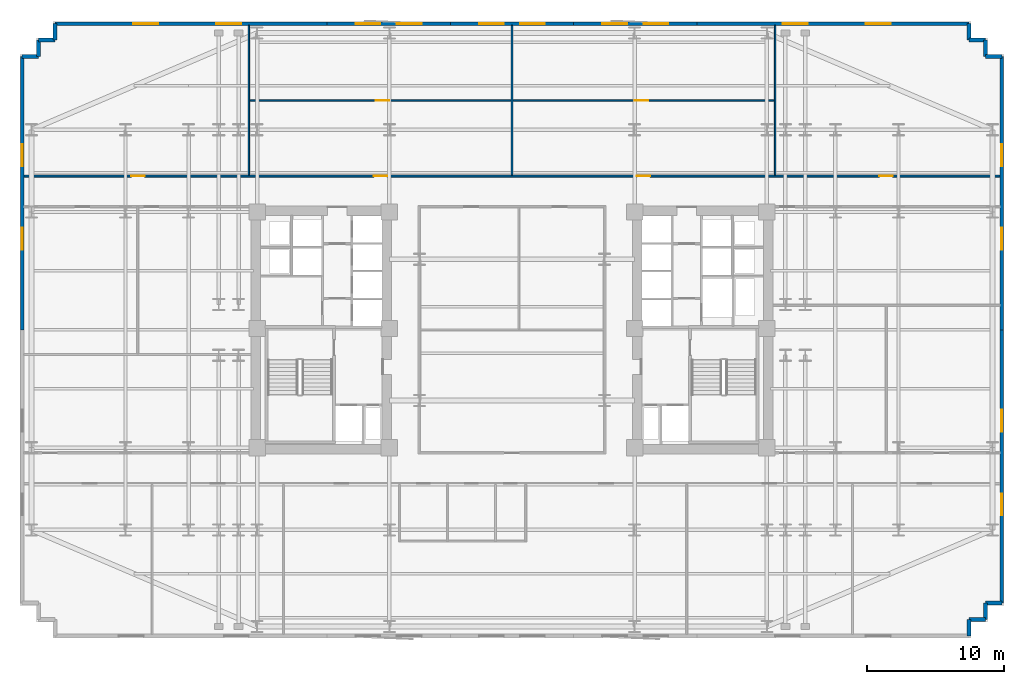
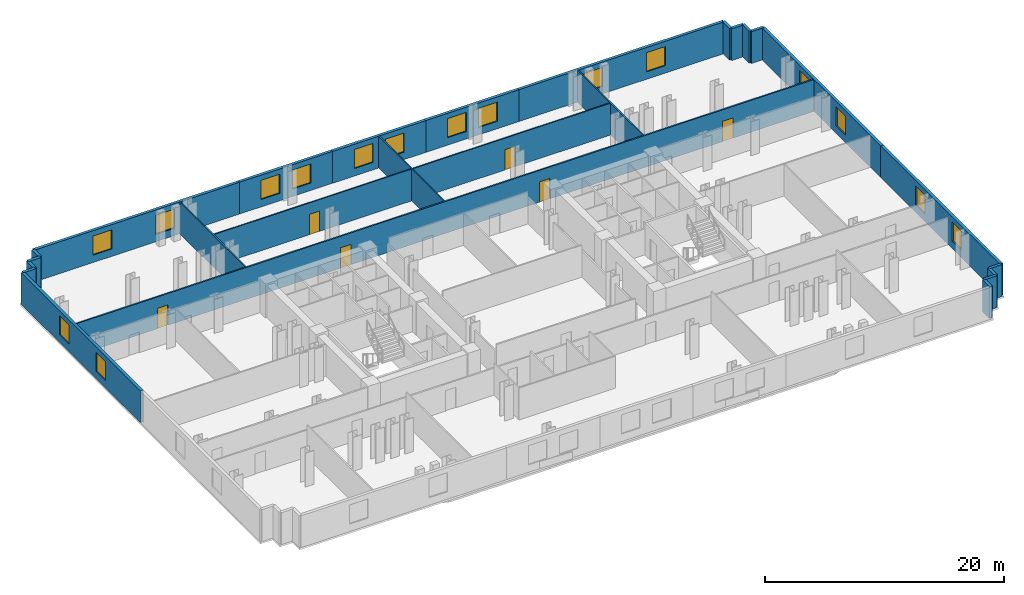
# One storey, part 7 of 10: 25 walls, 16 windows, 6 doors, 22 openings.
"""IFC4 building model written with IfcOpenShell, lengths in metres."""

from ifc_helpers import new_model, si_unit, direction, frame, frame_2d, origin, place, context, subcontext, project, spatial, rectangle, extrude, material, layer, layer_set, type_object, element, fill, save


model = new_model("IFC4")

# Units and contexts
model_context = context("Model", 3, precision=1e-05, world=origin(), true_north=direction((0.0, 1.0)))
body_context = subcontext(model_context, "Body", "Model", "MODEL_VIEW")
ifc_project = project(units=[si_unit("LENGTHUNIT", "METRE"), si_unit("AREAUNIT", "SQUARE_METRE"), si_unit("VOLUMEUNIT", "CUBIC_METRE"), si_unit("PLANEANGLEUNIT", "RADIAN"), si_unit("MASSUNIT", "GRAM", prefix="KILO")], contexts=[model_context])

# Site, building, storey
site_placement = place(None, origin())
site = spatial("IfcSite", under=ifc_project, at=site_placement, CompositionType="ELEMENT")
building_placement = place(site_placement, origin())
building = spatial("IfcBuilding", under=site, at=building_placement, Name="Velakula Bourse", CompositionType="ELEMENT")
storey_placement = place(building_placement, frame((0.0, 0.0, 55.35009765625)))
storey = spatial("IfcBuildingStorey", under=building, at=storey_placement, Name="L14", CompositionType="ELEMENT", Elevation=55.35009765625)

# Wall, openings, windows
ifc_material_1 = material(Name="Red kilned clay facing brick masonry", Category="masonry")
ifc_layer_1 = layer(ifc_material_1, 0.280029296875, Name="Red kilned clay facing brick masonry", Category="masonry")
ifc_layer_set_1 = layer_set([ifc_layer_1], Name="Red kilned clay facing brick masonry")
wall_type_1 = type_object("IfcWallType", Name="WL-EXT-BRK-280", PredefinedType="STANDARD", material=ifc_layer_set_1)
wall_1_placement = place(storey_placement, frame((-33.340087890625, 22.340087890625, 0.0), z_axis=(0.0, 0.0, 1.0), x_axis=(1.0, 0.0, 0.0)))
wall_1 = element("IfcWall", 1, at=wall_1_placement, inside=storey, type_object=wall_type_1, Name="L14 N Brick Spandrel Wall B1", PredefinedType="STANDARD", context=body_context, shape_type="SweptSolid", body=[
    extrude(rectangle(XDim=19.840087890625, YDim=0.280029296875, at=frame_2d((9.919921875, 0.0))), origin(), (0.0, 0.0, 1.0), 3.25),
])
opening_1_placement = place(wall_1_placement, frame((5.71337890625, 0.0, 0.760009765625)))
opening_1 = element("IfcOpeningElement", 2, at=opening_1_placement, cuts=wall_1, Name="Opening W-01", PredefinedType="OPENING", context=body_context, shape_type="SweptSolid", body=[
    extrude(rectangle(XDim=1.800048828125, YDim=1.949951171875, at=frame_2d((0.89990234375, 0.97509765625))), frame((0.0, 0.14990234375, 0.0), z_axis=(0.0, -1.0, 0.0), x_axis=(1.0, 0.0, 0.0)), (0.0, 0.0, 1.0), 0.300048828125),
])
opening_2_placement = place(wall_1_placement, frame((11.776611328125, 0.0, 0.760009765625)))
opening_2 = element("IfcOpeningElement", 3, at=opening_2_placement, cuts=wall_1, Name="Opening W-01", PredefinedType="OPENING", context=body_context, shape_type="SweptSolid", body=[
    extrude(rectangle(XDim=1.800048828125, YDim=1.949951171875, at=frame_2d((0.89990234375, 0.97509765625))), frame((0.0, 0.14990234375, 0.0), z_axis=(0.0, -1.0, 0.0), x_axis=(1.0, 0.0, 0.0)), (0.0, 0.0, 1.0), 0.300048828125),
])
ifc_material_2 = material(Name="Double-glazed solar-control Low-E glass", Category="glass")
window_type_1 = type_object("IfcWindowType", Name="WIN-TWR-1800x2100", PartitioningType="SINGLE_PANEL", PredefinedType="WINDOW", material=ifc_material_2)
window_1_placement = place(opening_1_placement, origin())
window_1 = element("IfcWindow", 4, at=window_1_placement, inside=storey, type_object=window_type_1, Name="L14 Deep-Set Recessed Window 1", OverallHeight=1.949951171875, OverallWidth=1.800048828125, PartitioningType="SINGLE_PANEL", PredefinedType="WINDOW", context=body_context, shape_type="SweptSolid", body=[
    extrude(rectangle(XDim=1.800048828125, YDim=1.949951171875, at=frame_2d((0.89990234375, 0.97509765625))), frame((0.0, 0.030029296875, 0.0), z_axis=(0.0, -1.0, 0.0), x_axis=(1.0, 0.0, 0.0)), (0.0, 0.0, 1.0), 0.06005859375),
])
fill(opening_1, window_1)
window_2_placement = place(opening_2_placement, origin())
window_2 = element("IfcWindow", 5, at=window_2_placement, inside=storey, type_object=window_type_1, Name="L14 Deep-Set Recessed Window 2", OverallHeight=1.949951171875, OverallWidth=1.800048828125, PartitioningType="SINGLE_PANEL", PredefinedType="WINDOW", context=body_context, shape_type="SweptSolid", body=[
    extrude(rectangle(XDim=1.800048828125, YDim=1.949951171875, at=frame_2d((0.89990234375, 0.97509765625))), frame((0.0, 0.030029296875, 0.0), z_axis=(0.0, -1.0, 0.0), x_axis=(1.0, 0.0, 0.0)), (0.0, 0.0, 1.0), 0.06005859375),
])
fill(opening_2, window_2)

wall_2_placement = place(storey_placement, frame((-13.5, 22.340087890625, 0.0), z_axis=(0.0, 0.0, 1.0), x_axis=(1.0, 0.0, 0.0)))
wall_2 = element("IfcWall", 6, at=wall_2_placement, inside=storey, type_object=wall_type_1, Name="L14 N Brick Spandrel Wall B2", PredefinedType="STANDARD", context=body_context, shape_type="SweptSolid", body=[
    extrude(rectangle(XDim=9.0, YDim=0.280029296875, at=frame_2d((4.5, 0.0))), origin(), (0.0, 0.0, 1.0), 3.25),
])
opening_3_placement = place(wall_2_placement, frame((2.10009765625, 0.0, 0.760009765625)))
opening_3 = element("IfcOpeningElement", 7, at=opening_3_placement, cuts=wall_2, Name="Opening W-01", PredefinedType="OPENING", context=body_context, shape_type="SweptSolid", body=[
    extrude(rectangle(XDim=1.800048828125, YDim=1.949951171875, at=frame_2d((0.89990234375, 0.97509765625))), frame((0.0, 0.14990234375, 0.0), z_axis=(0.0, -1.0, 0.0), x_axis=(1.0, 0.0, 0.0)), (0.0, 0.0, 1.0), 0.300048828125),
])
opening_4_placement = place(wall_2_placement, frame((5.10009765625, 0.0, 0.760009765625)))
opening_4 = element("IfcOpeningElement", 8, at=opening_4_placement, cuts=wall_2, Name="Opening W-01", PredefinedType="OPENING", context=body_context, shape_type="SweptSolid", body=[
    extrude(rectangle(XDim=1.800048828125, YDim=1.949951171875, at=frame_2d((0.89990234375, 0.97509765625))), frame((0.0, 0.14990234375, 0.0), z_axis=(0.0, -1.0, 0.0), x_axis=(1.0, 0.0, 0.0)), (0.0, 0.0, 1.0), 0.300048828125),
])
window_3_placement = place(opening_3_placement, origin())
window_3 = element("IfcWindow", 9, at=window_3_placement, inside=storey, type_object=window_type_1, Name="L14 Deep-Set Recessed Window 1", OverallHeight=1.949951171875, OverallWidth=1.800048828125, PartitioningType="SINGLE_PANEL", PredefinedType="WINDOW", context=body_context, shape_type="SweptSolid", body=[
    extrude(rectangle(XDim=1.800048828125, YDim=1.949951171875, at=frame_2d((0.89990234375, 0.97509765625))), frame((0.0, 0.030029296875, 0.0), z_axis=(0.0, -1.0, 0.0), x_axis=(1.0, 0.0, 0.0)), (0.0, 0.0, 1.0), 0.06005859375),
])
fill(opening_3, window_3)
window_4_placement = place(opening_4_placement, origin())
window_4 = element("IfcWindow", 10, at=window_4_placement, inside=storey, type_object=window_type_1, Name="L14 Deep-Set Recessed Window 2", OverallHeight=1.949951171875, OverallWidth=1.800048828125, PartitioningType="SINGLE_PANEL", PredefinedType="WINDOW", context=body_context, shape_type="SweptSolid", body=[
    extrude(rectangle(XDim=1.800048828125, YDim=1.949951171875, at=frame_2d((0.89990234375, 0.97509765625))), frame((0.0, 0.030029296875, 0.0), z_axis=(0.0, -1.0, 0.0), x_axis=(1.0, 0.0, 0.0)), (0.0, 0.0, 1.0), 0.06005859375),
])
fill(opening_4, window_4)

wall_3_placement = place(storey_placement, frame((-4.5, 22.340087890625, 0.0), z_axis=(0.0, 0.0, 1.0), x_axis=(1.0, 0.0, 0.0)))
wall_3 = element("IfcWall", 11, at=wall_3_placement, inside=storey, type_object=wall_type_1, Name="L14 N Brick Spandrel Wall B3", PredefinedType="STANDARD", context=body_context, shape_type="SweptSolid", body=[
    extrude(rectangle(XDim=9.0, YDim=0.280029296875, at=frame_2d((4.5, 0.0))), origin(), (0.0, 0.0, 1.0), 3.25),
])
opening_5_placement = place(wall_3_placement, frame((2.10009765625, 0.0, 0.760009765625)))
opening_5 = element("IfcOpeningElement", 12, at=opening_5_placement, cuts=wall_3, Name="Opening W-01", PredefinedType="OPENING", context=body_context, shape_type="SweptSolid", body=[
    extrude(rectangle(XDim=1.800048828125, YDim=1.949951171875, at=frame_2d((0.89990234375, 0.97509765625))), frame((0.0, 0.14990234375, 0.0), z_axis=(0.0, -1.0, 0.0), x_axis=(1.0, 0.0, 0.0)), (0.0, 0.0, 1.0), 0.300048828125),
])
opening_6_placement = place(wall_3_placement, frame((5.10009765625, 0.0, 0.760009765625)))
opening_6 = element("IfcOpeningElement", 13, at=opening_6_placement, cuts=wall_3, Name="Opening W-01", PredefinedType="OPENING", context=body_context, shape_type="SweptSolid", body=[
    extrude(rectangle(XDim=1.800048828125, YDim=1.949951171875, at=frame_2d((0.89990234375, 0.97509765625))), frame((0.0, 0.14990234375, 0.0), z_axis=(0.0, -1.0, 0.0), x_axis=(1.0, 0.0, 0.0)), (0.0, 0.0, 1.0), 0.300048828125),
])
window_5_placement = place(opening_5_placement, origin())
window_5 = element("IfcWindow", 14, at=window_5_placement, inside=storey, type_object=window_type_1, Name="L14 Deep-Set Recessed Window 1", OverallHeight=1.949951171875, OverallWidth=1.800048828125, PartitioningType="SINGLE_PANEL", PredefinedType="WINDOW", context=body_context, shape_type="SweptSolid", body=[
    extrude(rectangle(XDim=1.800048828125, YDim=1.949951171875, at=frame_2d((0.89990234375, 0.97509765625))), frame((0.0, 0.030029296875, 0.0), z_axis=(0.0, -1.0, 0.0), x_axis=(1.0, 0.0, 0.0)), (0.0, 0.0, 1.0), 0.06005859375),
])
fill(opening_5, window_5)
window_6_placement = place(opening_6_placement, origin())
window_6 = element("IfcWindow", 15, at=window_6_placement, inside=storey, type_object=window_type_1, Name="L14 Deep-Set Recessed Window 2", OverallHeight=1.949951171875, OverallWidth=1.800048828125, PartitioningType="SINGLE_PANEL", PredefinedType="WINDOW", context=body_context, shape_type="SweptSolid", body=[
    extrude(rectangle(XDim=1.800048828125, YDim=1.949951171875, at=frame_2d((0.89990234375, 0.97509765625))), frame((0.0, 0.030029296875, 0.0), z_axis=(0.0, -1.0, 0.0), x_axis=(1.0, 0.0, 0.0)), (0.0, 0.0, 1.0), 0.06005859375),
])
fill(opening_6, window_6)

wall_4_placement = place(storey_placement, frame((4.5, 22.340087890625, 0.0), z_axis=(0.0, 0.0, 1.0), x_axis=(1.0, 0.0, 0.0)))
wall_4 = element("IfcWall", 16, at=wall_4_placement, inside=storey, type_object=wall_type_1, Name="L14 N Brick Spandrel Wall B4", PredefinedType="STANDARD", context=body_context, shape_type="SweptSolid", body=[
    extrude(rectangle(XDim=9.0, YDim=0.280029296875, at=frame_2d((4.5, 0.0))), origin(), (0.0, 0.0, 1.0), 3.25),
])
opening_7_placement = place(wall_4_placement, frame((2.10009765625, 0.0, 0.760009765625)))
opening_7 = element("IfcOpeningElement", 17, at=opening_7_placement, cuts=wall_4, Name="Opening W-01", PredefinedType="OPENING", context=body_context, shape_type="SweptSolid", body=[
    extrude(rectangle(XDim=1.800048828125, YDim=1.949951171875, at=frame_2d((0.89990234375, 0.97509765625))), frame((0.0, 0.14990234375, 0.0), z_axis=(0.0, -1.0, 0.0), x_axis=(1.0, 0.0, 0.0)), (0.0, 0.0, 1.0), 0.300048828125),
])
opening_8_placement = place(wall_4_placement, frame((5.10009765625, 0.0, 0.760009765625)))
opening_8 = element("IfcOpeningElement", 18, at=opening_8_placement, cuts=wall_4, Name="Opening W-01", PredefinedType="OPENING", context=body_context, shape_type="SweptSolid", body=[
    extrude(rectangle(XDim=1.800048828125, YDim=1.949951171875, at=frame_2d((0.89990234375, 0.97509765625))), frame((0.0, 0.14990234375, 0.0), z_axis=(0.0, -1.0, 0.0), x_axis=(1.0, 0.0, 0.0)), (0.0, 0.0, 1.0), 0.300048828125),
])
window_7_placement = place(opening_7_placement, origin())
window_7 = element("IfcWindow", 19, at=window_7_placement, inside=storey, type_object=window_type_1, Name="L14 Deep-Set Recessed Window 1", OverallHeight=1.949951171875, OverallWidth=1.800048828125, PartitioningType="SINGLE_PANEL", PredefinedType="WINDOW", context=body_context, shape_type="SweptSolid", body=[
    extrude(rectangle(XDim=1.800048828125, YDim=1.949951171875, at=frame_2d((0.89990234375, 0.97509765625))), frame((0.0, 0.030029296875, 0.0), z_axis=(0.0, -1.0, 0.0), x_axis=(1.0, 0.0, 0.0)), (0.0, 0.0, 1.0), 0.06005859375),
])
fill(opening_7, window_7)
window_8_placement = place(opening_8_placement, origin())
window_8 = element("IfcWindow", 20, at=window_8_placement, inside=storey, type_object=window_type_1, Name="L14 Deep-Set Recessed Window 2", OverallHeight=1.949951171875, OverallWidth=1.800048828125, PartitioningType="SINGLE_PANEL", PredefinedType="WINDOW", context=body_context, shape_type="SweptSolid", body=[
    extrude(rectangle(XDim=1.800048828125, YDim=1.949951171875, at=frame_2d((0.89990234375, 0.97509765625))), frame((0.0, 0.030029296875, 0.0), z_axis=(0.0, -1.0, 0.0), x_axis=(1.0, 0.0, 0.0)), (0.0, 0.0, 1.0), 0.06005859375),
])
fill(opening_8, window_8)

wall_5_placement = place(storey_placement, frame((13.5, 22.340087890625, 0.0), z_axis=(0.0, 0.0, 1.0), x_axis=(1.0, 0.0, 0.0)))
wall_5 = element("IfcWall", 21, at=wall_5_placement, inside=storey, type_object=wall_type_1, Name="L14 N Brick Spandrel Wall B5", PredefinedType="STANDARD", context=body_context, shape_type="SweptSolid", body=[
    extrude(rectangle(XDim=19.840087890625, YDim=0.280029296875, at=frame_2d((9.919921875, 0.0))), origin(), (0.0, 0.0, 1.0), 3.25),
])
opening_9_placement = place(wall_5_placement, frame((6.26318359375, 0.0, 0.760009765625)))
opening_9 = element("IfcOpeningElement", 22, at=opening_9_placement, cuts=wall_5, Name="Opening W-01", PredefinedType="OPENING", context=body_context, shape_type="SweptSolid", body=[
    extrude(rectangle(XDim=1.800048828125, YDim=1.949951171875, at=frame_2d((0.89990234375, 0.97509765625))), frame((0.0, 0.14990234375, 0.0), z_axis=(0.0, -1.0, 0.0), x_axis=(1.0, 0.0, 0.0)), (0.0, 0.0, 1.0), 0.300048828125),
])
opening_10_placement = place(wall_5_placement, frame((12.32666015625, 0.0, 0.760009765625)))
opening_10 = element("IfcOpeningElement", 23, at=opening_10_placement, cuts=wall_5, Name="Opening W-01", PredefinedType="OPENING", context=body_context, shape_type="SweptSolid", body=[
    extrude(rectangle(XDim=1.800048828125, YDim=1.949951171875, at=frame_2d((0.89990234375, 0.97509765625))), frame((0.0, 0.14990234375, 0.0), z_axis=(0.0, -1.0, 0.0), x_axis=(1.0, 0.0, 0.0)), (0.0, 0.0, 1.0), 0.300048828125),
])
window_9_placement = place(opening_9_placement, origin())
window_9 = element("IfcWindow", 24, at=window_9_placement, inside=storey, type_object=window_type_1, Name="L14 Deep-Set Recessed Window 1", OverallHeight=1.949951171875, OverallWidth=1.800048828125, PartitioningType="SINGLE_PANEL", PredefinedType="WINDOW", context=body_context, shape_type="SweptSolid", body=[
    extrude(rectangle(XDim=1.800048828125, YDim=1.949951171875, at=frame_2d((0.89990234375, 0.97509765625))), frame((0.0, 0.030029296875, 0.0), z_axis=(0.0, -1.0, 0.0), x_axis=(1.0, 0.0, 0.0)), (0.0, 0.0, 1.0), 0.06005859375),
])
fill(opening_9, window_9)
window_10_placement = place(opening_10_placement, origin())
window_10 = element("IfcWindow", 25, at=window_10_placement, inside=storey, type_object=window_type_1, Name="L14 Deep-Set Recessed Window 2", OverallHeight=1.949951171875, OverallWidth=1.800048828125, PartitioningType="SINGLE_PANEL", PredefinedType="WINDOW", context=body_context, shape_type="SweptSolid", body=[
    extrude(rectangle(XDim=1.800048828125, YDim=1.949951171875, at=frame_2d((0.89990234375, 0.97509765625))), frame((0.0, 0.030029296875, 0.0), z_axis=(0.0, -1.0, 0.0), x_axis=(1.0, 0.0, 0.0)), (0.0, 0.0, 1.0), 0.06005859375),
])
fill(opening_10, window_10)

wall_6_placement = place(storey_placement, frame((-35.739990234375, 0.0, 0.0), z_axis=(0.0, 0.0, 1.0), x_axis=(0.0, 1.0, 0.0)))
wall_6 = element("IfcWall", 26, at=wall_6_placement, inside=storey, type_object=wall_type_1, Name="L14 W Brick End Wall W2", PredefinedType="STANDARD", context=body_context, shape_type="SweptSolid", body=[
    extrude(rectangle(XDim=19.93994140625, YDim=0.280029296875, at=frame_2d((9.969970703125, 0.0))), origin(), (0.0, 0.0, 1.0), 3.25),
])
opening_11_placement = place(wall_6_placement, frame((5.8466796875, 0.0, 0.760009765625)))
opening_11 = element("IfcOpeningElement", 27, at=opening_11_placement, cuts=wall_6, Name="Opening W-02", PredefinedType="OPENING", context=body_context, shape_type="SweptSolid", body=[
    extrude(rectangle(XDim=1.60009765625, YDim=1.949951171875, at=frame_2d((0.800048828125, 0.97509765625))), frame((0.0, 0.14990234375, 0.0), z_axis=(0.0, -1.0, 0.0), x_axis=(1.0, 0.0, 0.0)), (0.0, 0.0, 1.0), 0.300048828125),
])
opening_12_placement = place(wall_6_placement, frame((11.943359375, 0.0, 0.760009765625)))
opening_12 = element("IfcOpeningElement", 28, at=opening_12_placement, cuts=wall_6, Name="Opening W-02", PredefinedType="OPENING", context=body_context, shape_type="SweptSolid", body=[
    extrude(rectangle(XDim=1.60009765625, YDim=1.949951171875, at=frame_2d((0.800048828125, 0.97509765625))), frame((0.0, 0.14990234375, 0.0), z_axis=(0.0, -1.0, 0.0), x_axis=(1.0, 0.0, 0.0)), (0.0, 0.0, 1.0), 0.300048828125),
])
window_type_2 = type_object("IfcWindowType", Name="WIN-TWR-1600x2100", PartitioningType="SINGLE_PANEL", PredefinedType="WINDOW", material=ifc_material_2)
window_11_placement = place(opening_11_placement, origin())
window_11 = element("IfcWindow", 29, at=window_11_placement, inside=storey, type_object=window_type_2, Name="L14 Deep-Set Recessed Window 1", OverallHeight=1.949951171875, OverallWidth=1.60009765625, PartitioningType="SINGLE_PANEL", PredefinedType="WINDOW", context=body_context, shape_type="SweptSolid", body=[
    extrude(rectangle(XDim=1.60009765625, YDim=1.949951171875, at=frame_2d((0.800048828125, 0.97509765625))), frame((0.0, 0.030029296875, 0.0), z_axis=(0.0, -1.0, 0.0), x_axis=(1.0, 0.0, 0.0)), (0.0, 0.0, 1.0), 0.06005859375),
])
fill(opening_11, window_11)
window_12_placement = place(opening_12_placement, origin())
window_12 = element("IfcWindow", 30, at=window_12_placement, inside=storey, type_object=window_type_2, Name="L14 Deep-Set Recessed Window 2", OverallHeight=1.949951171875, OverallWidth=1.60009765625, PartitioningType="SINGLE_PANEL", PredefinedType="WINDOW", context=body_context, shape_type="SweptSolid", body=[
    extrude(rectangle(XDim=1.60009765625, YDim=1.949951171875, at=frame_2d((0.800048828125, 0.97509765625))), frame((0.0, 0.030029296875, 0.0), z_axis=(0.0, -1.0, 0.0), x_axis=(1.0, 0.0, 0.0)), (0.0, 0.0, 1.0), 0.06005859375),
])
fill(opening_12, window_12)

wall_7_placement = place(storey_placement, frame((35.739990234375, 0.0, 0.0), z_axis=(0.0, 0.0, 1.0), x_axis=(0.0, -1.0, 0.0)))
wall_7 = element("IfcWall", 31, at=wall_7_placement, inside=storey, type_object=wall_type_1, Name="L14 E Brick End Wall W1", PredefinedType="STANDARD", context=body_context, shape_type="SweptSolid", body=[
    extrude(rectangle(XDim=19.93994140625, YDim=0.280029296875, at=frame_2d((9.969970703125, 0.0))), origin(), (0.0, 0.0, 1.0), 3.25),
])
opening_13_placement = place(wall_7_placement, frame((5.8466796875, 0.0, 0.760009765625)))
opening_13 = element("IfcOpeningElement", 32, at=opening_13_placement, cuts=wall_7, Name="Opening W-02", PredefinedType="OPENING", context=body_context, shape_type="SweptSolid", body=[
    extrude(rectangle(XDim=1.60009765625, YDim=1.949951171875, at=frame_2d((0.800048828125, 0.97509765625))), frame((0.0, 0.14990234375, 0.0), z_axis=(0.0, -1.0, 0.0), x_axis=(1.0, 0.0, 0.0)), (0.0, 0.0, 1.0), 0.300048828125),
])
opening_14_placement = place(wall_7_placement, frame((11.943359375, 0.0, 0.760009765625)))
opening_14 = element("IfcOpeningElement", 33, at=opening_14_placement, cuts=wall_7, Name="Opening W-02", PredefinedType="OPENING", context=body_context, shape_type="SweptSolid", body=[
    extrude(rectangle(XDim=1.60009765625, YDim=1.949951171875, at=frame_2d((0.800048828125, 0.97509765625))), frame((0.0, 0.14990234375, 0.0), z_axis=(0.0, -1.0, 0.0), x_axis=(1.0, 0.0, 0.0)), (0.0, 0.0, 1.0), 0.300048828125),
])
window_13_placement = place(opening_13_placement, origin())
window_13 = element("IfcWindow", 34, at=window_13_placement, inside=storey, type_object=window_type_2, Name="L14 Deep-Set Recessed Window 1", OverallHeight=1.949951171875, OverallWidth=1.60009765625, PartitioningType="SINGLE_PANEL", PredefinedType="WINDOW", context=body_context, shape_type="SweptSolid", body=[
    extrude(rectangle(XDim=1.60009765625, YDim=1.949951171875, at=frame_2d((0.800048828125, 0.97509765625))), frame((0.0, 0.030029296875, 0.0), z_axis=(0.0, -1.0, 0.0), x_axis=(1.0, 0.0, 0.0)), (0.0, 0.0, 1.0), 0.06005859375),
])
fill(opening_13, window_13)
window_14_placement = place(opening_14_placement, origin())
window_14 = element("IfcWindow", 35, at=window_14_placement, inside=storey, type_object=window_type_2, Name="L14 Deep-Set Recessed Window 2", OverallHeight=1.949951171875, OverallWidth=1.60009765625, PartitioningType="SINGLE_PANEL", PredefinedType="WINDOW", context=body_context, shape_type="SweptSolid", body=[
    extrude(rectangle(XDim=1.60009765625, YDim=1.949951171875, at=frame_2d((0.800048828125, 0.97509765625))), frame((0.0, 0.030029296875, 0.0), z_axis=(0.0, -1.0, 0.0), x_axis=(1.0, 0.0, 0.0)), (0.0, 0.0, 1.0), 0.06005859375),
])
fill(opening_14, window_14)

wall_8_placement = place(storey_placement, frame((35.739990234375, 19.93994140625, 0.0), z_axis=(0.0, 0.0, 1.0), x_axis=(0.0, -1.0, 0.0)))
wall_8 = element("IfcWall", 36, at=wall_8_placement, inside=storey, type_object=wall_type_1, Name="L14 E Brick End Wall W2", PredefinedType="STANDARD", context=body_context, shape_type="SweptSolid", body=[
    extrude(rectangle(XDim=19.93994140625, YDim=0.280029296875, at=frame_2d((9.969970703125, 0.0))), origin(), (0.0, 0.0, 1.0), 3.25),
])
opening_15_placement = place(wall_8_placement, frame((6.396728515625, 0.0, 0.760009765625)))
opening_15 = element("IfcOpeningElement", 37, at=opening_15_placement, cuts=wall_8, Name="Opening W-02", PredefinedType="OPENING", context=body_context, shape_type="SweptSolid", body=[
    extrude(rectangle(XDim=1.60009765625, YDim=1.949951171875, at=frame_2d((0.800048828125, 0.97509765625))), frame((0.0, 0.14990234375, 0.0), z_axis=(0.0, -1.0, 0.0), x_axis=(1.0, 0.0, 0.0)), (0.0, 0.0, 1.0), 0.300048828125),
])
opening_16_placement = place(wall_8_placement, frame((12.493408203125, 0.0, 0.760009765625)))
opening_16 = element("IfcOpeningElement", 38, at=opening_16_placement, cuts=wall_8, Name="Opening W-02", PredefinedType="OPENING", context=body_context, shape_type="SweptSolid", body=[
    extrude(rectangle(XDim=1.60009765625, YDim=1.949951171875, at=frame_2d((0.800048828125, 0.97509765625))), frame((0.0, 0.14990234375, 0.0), z_axis=(0.0, -1.0, 0.0), x_axis=(1.0, 0.0, 0.0)), (0.0, 0.0, 1.0), 0.300048828125),
])
window_15_placement = place(opening_15_placement, origin())
window_15 = element("IfcWindow", 39, at=window_15_placement, inside=storey, type_object=window_type_2, Name="L14 Deep-Set Recessed Window 1", OverallHeight=1.949951171875, OverallWidth=1.60009765625, PartitioningType="SINGLE_PANEL", PredefinedType="WINDOW", context=body_context, shape_type="SweptSolid", body=[
    extrude(rectangle(XDim=1.60009765625, YDim=1.949951171875, at=frame_2d((0.800048828125, 0.97509765625))), frame((0.0, 0.030029296875, 0.0), z_axis=(0.0, -1.0, 0.0), x_axis=(1.0, 0.0, 0.0)), (0.0, 0.0, 1.0), 0.06005859375),
])
fill(opening_15, window_15)
window_16_placement = place(opening_16_placement, origin())
window_16 = element("IfcWindow", 40, at=window_16_placement, inside=storey, type_object=window_type_2, Name="L14 Deep-Set Recessed Window 2", OverallHeight=1.949951171875, OverallWidth=1.60009765625, PartitioningType="SINGLE_PANEL", PredefinedType="WINDOW", context=body_context, shape_type="SweptSolid", body=[
    extrude(rectangle(XDim=1.60009765625, YDim=1.949951171875, at=frame_2d((0.800048828125, 0.97509765625))), frame((0.0, 0.030029296875, 0.0), z_axis=(0.0, -1.0, 0.0), x_axis=(1.0, 0.0, 0.0)), (0.0, 0.0, 1.0), 0.06005859375),
])
fill(opening_16, window_16)

# Walls
wall_9_placement = place(storey_placement, frame((33.340087890625, -22.340087890625, 0.0), z_axis=(0.0, 0.0, 1.0), x_axis=(0.0, 1.0, 0.0)))
element("IfcWall", 41, at=wall_9_placement, inside=storey, type_object=wall_type_1, Name="L14 Serrated Corner Brick Wall SE-1", PredefinedType="STANDARD", context=body_context, shape_type="SweptSolid", body=[
    extrude(rectangle(XDim=1.2001953125, YDim=0.280029296875, at=frame_2d((0.60009765625, 0.0))), origin(), (0.0, 0.0, 1.0), 3.25),
])
for number, where, z_axis, x_axis, name in (
    (42, (33.340087890625, -21.139892578125, 0.0), (0.0, 0.0, 1.0), (1.0, 0.0, 0.0), "L14 Serrated Corner Brick Wall SE-2"),
    (43, (34.5400390625, -21.139892578125, 0.0), (0.0, 0.0, 1.0), (0.0, 1.0, 0.0), "L14 Serrated Corner Brick Wall SE-3"),
    (44, (34.5400390625, -19.93994140625, 0.0), (0.0, 0.0, 1.0), (1.0, 0.0, 0.0), "L14 Serrated Corner Brick Wall SE-4"),
    (45, (35.739990234375, 19.93994140625, 0.0), (0.0, 0.0, 1.0), (-1.0, 0.0, 0.0), "L14 Serrated Corner Brick Wall NE-1"),
    (46, (34.5400390625, 19.93994140625, 0.0), (0.0, 0.0, 1.0), (0.0, 1.0, 0.0), "L14 Serrated Corner Brick Wall NE-2"),
    (47, (34.5400390625, 21.139892578125, 0.0), (0.0, 0.0, 1.0), (-1.0, 0.0, 0.0), "L14 Serrated Corner Brick Wall NE-3"),
):
    element("IfcWall", number, at=place(storey_placement, frame(where, z_axis=z_axis, x_axis=x_axis)), inside=storey, type_object=wall_type_1, Name=name, PredefinedType="STANDARD", context=body_context, shape_type="SweptSolid", body=[
        extrude(rectangle(XDim=1.199951171875, YDim=0.280029296875, at=frame_2d((0.60009765625, 0.0))), origin(), (0.0, 0.0, 1.0), 3.25),
    ])
for number, where, z_axis, x_axis, name in (
    (48, (33.340087890625, 21.139892578125, 0.0), (0.0, 0.0, 1.0), (0.0, 1.0, 0.0), "L14 Serrated Corner Brick Wall NE-4"),
    (49, (-33.340087890625, 22.340087890625, 0.0), (0.0, 0.0, 1.0), (0.0, -1.0, 0.0), "L14 Serrated Corner Brick Wall NW-1"),
):
    element("IfcWall", number, at=place(storey_placement, frame(where, z_axis=z_axis, x_axis=x_axis)), inside=storey, type_object=wall_type_1, Name=name, PredefinedType="STANDARD", context=body_context, shape_type="SweptSolid", body=[
        extrude(rectangle(XDim=1.2001953125, YDim=0.280029296875, at=frame_2d((0.60009765625, 0.0))), origin(), (0.0, 0.0, 1.0), 3.25),
    ])
for number, where, z_axis, x_axis, name in (
    (50, (-33.340087890625, 21.139892578125, 0.0), (0.0, 0.0, 1.0), (-1.0, 0.0, 0.0), "L14 Serrated Corner Brick Wall NW-2"),
    (51, (-34.5400390625, 21.139892578125, 0.0), (0.0, 0.0, 1.0), (0.0, -1.0, 0.0), "L14 Serrated Corner Brick Wall NW-3"),
    (52, (-34.5400390625, 19.93994140625, 0.0), (0.0, 0.0, 1.0), (-1.0, 0.0, 0.0), "L14 Serrated Corner Brick Wall NW-4"),
):
    element("IfcWall", number, at=place(storey_placement, frame(where, z_axis=z_axis, x_axis=x_axis)), inside=storey, type_object=wall_type_1, Name=name, PredefinedType="STANDARD", context=body_context, shape_type="SweptSolid", body=[
        extrude(rectangle(XDim=1.199951171875, YDim=0.280029296875, at=frame_2d((0.60009765625, 0.0))), origin(), (0.0, 0.0, 1.0), 3.25),
    ])
ifc_material_3 = material(Name="Fire-rated double-layer gypsum drywall partition", Category="gypsum")
ifc_layer_2 = layer(ifc_material_3, 0.1201171875, Name="Fire-rated double-layer gypsum drywall partition", Category="gypsum")
ifc_layer_set_2 = layer_set([ifc_layer_2], Name="Fire-rated double-layer gypsum drywall partition")
wall_type_2 = type_object("IfcWallType", Name="WL-PART-120", PredefinedType="STANDARD", material=ifc_layer_set_2)
for number, where, z_axis, x_axis, name in (
    (53, (-19.201904296875, 11.2900390625, 0.0), (0.0, 0.0, 1.0), (0.0, 1.0, 0.0), "L14 Interior Partition WL-INT-L14-N-D1"),
    (54, (0.0, 11.2900390625, 0.0), (0.0, 0.0, 1.0), (0.0, 1.0, 0.0), "L14 Interior Partition WL-INT-L14-N-D2"),
    (55, (19.201904296875, 11.2900390625, 0.0), (0.0, 0.0, 1.0), (0.0, 1.0, 0.0), "L14 Interior Partition WL-INT-L14-N-D3"),
):
    element("IfcWall", number, at=place(storey_placement, frame(where, z_axis=z_axis, x_axis=x_axis)), inside=storey, type_object=wall_type_2, Name=name, PredefinedType="STANDARD", context=body_context, shape_type="SweptSolid", body=[
        extrude(rectangle(XDim=10.929931640625, YDim=0.1201171875, at=frame_2d((5.46484375, 0.0))), origin(), (0.0, 0.0, 1.0), 3.25),
    ])

# Wall, openings, doors
wall_10_placement = place(storey_placement, frame((-19.14208984375, 16.72509765625, 0.0), z_axis=(0.0, 0.0, 1.0), x_axis=(1.0, 0.0, 0.0)))
wall_10 = element("IfcWall", 56, at=wall_10_placement, inside=storey, type_object=wall_type_2, Name="L14 Interior Partition WL-INT-L14-N-MID", PredefinedType="STANDARD", context=body_context, shape_type="SweptSolid", body=[
    extrude(rectangle(XDim=38.2841796875, YDim=0.1201171875, at=frame_2d((19.14208984375, 0.0))), origin(), (0.0, 0.0, 1.0), 3.25),
])
opening_17_placement = place(wall_10_placement, frame((9.197998046875, 0.0, 0.0)))
opening_17 = element("IfcOpeningElement", 57, at=opening_17_placement, cuts=wall_10, Name="Opening D-OF1", PredefinedType="OPENING", context=body_context, shape_type="SweptSolid", body=[
    extrude(rectangle(XDim=1.0, YDim=2.080078125, at=frame_2d((0.5, 1.0400390625))), frame((0.0, 0.070068359375, 0.0), z_axis=(0.0, -1.0, 0.0), x_axis=(1.0, 0.0, 0.0)), (0.0, 0.0, 1.0), 0.14013671875),
])
opening_18_placement = place(wall_10_placement, frame((28.0859375, 0.0, 0.0)))
opening_18 = element("IfcOpeningElement", 58, at=opening_18_placement, cuts=wall_10, Name="Opening D-OF1", PredefinedType="OPENING", context=body_context, shape_type="SweptSolid", body=[
    extrude(rectangle(XDim=1.0, YDim=2.080078125, at=frame_2d((0.5, 1.0400390625))), frame((0.0, 0.070068359375, 0.0), z_axis=(0.0, -1.0, 0.0), x_axis=(1.0, 0.0, 0.0)), (0.0, 0.0, 1.0), 0.14013671875),
])
ifc_material_4 = material(Name="Fire-rated hardwood flush architectural door", Category="wood")
door_type = type_object("IfcDoorType", Name="DR-OFF-1000", OperationType="NOTDEFINED", PredefinedType="DOOR", material=ifc_material_4)
door_1_placement = place(opening_17_placement, origin())
door_1 = element("IfcDoor", 59, at=door_1_placement, inside=storey, type_object=door_type, Name="L14 Listing Committee Chamber Door", OperationType="SINGLE_SWING_LEFT", OverallHeight=2.080078125, OverallWidth=1.0, PredefinedType="DOOR", context=body_context, shape_type="SweptSolid", body=[
    extrude(rectangle(XDim=1.0, YDim=2.080078125, at=frame_2d((0.5, 1.0400390625))), frame((0.0, 0.02490234375, 0.0), z_axis=(0.0, -1.0, 0.0), x_axis=(1.0, 0.0, 0.0)), (0.0, 0.0, 1.0), 0.050048828125),
])
fill(opening_17, door_1)
door_2_placement = place(opening_18_placement, origin())
door_2 = element("IfcDoor", 60, at=door_2_placement, inside=storey, type_object=door_type, Name="L14 Traders Pantry Door", OperationType="SINGLE_SWING_LEFT", OverallHeight=2.080078125, OverallWidth=1.0, PredefinedType="DOOR", context=body_context, shape_type="SweptSolid", body=[
    extrude(rectangle(XDim=1.0, YDim=2.080078125, at=frame_2d((0.5, 1.0400390625))), frame((0.0, 0.02490234375, 0.0), z_axis=(0.0, -1.0, 0.0), x_axis=(1.0, 0.0, 0.0)), (0.0, 0.0, 1.0), 0.050048828125),
])
fill(opening_18, door_2)

ifc_layer_3 = layer(ifc_material_3, 0.139892578125, Name="Fire-rated double-layer gypsum drywall partition", Category="gypsum")
ifc_layer_set_3 = layer_set([ifc_layer_3], Name="Fire-rated double-layer gypsum drywall partition")
wall_type_3 = type_object("IfcWallType", Name="WL-PART-140", PredefinedType="STANDARD", material=ifc_layer_set_3)
wall_11_placement = place(storey_placement, frame((-35.6201171875, 11.219970703125, 0.0), z_axis=(0.0, 0.0, 1.0), x_axis=(1.0, 0.0, 0.0)))
wall_11 = element("IfcWall", 61, at=wall_11_placement, inside=storey, type_object=wall_type_3, Name="L14 Interior Partition WL-INT-L14-N-CORR", PredefinedType="STANDARD", context=body_context, shape_type="SweptSolid", body=[
    extrude(rectangle(XDim=71.240234375, YDim=0.139892578125, at=frame_2d((35.6201171875, 0.0))), origin(), (0.0, 0.0, 1.0), 3.25),
])
opening_19_placement = place(wall_11_placement, frame((7.8349609375, 0.0, 0.0)))
opening_19 = element("IfcOpeningElement", 62, at=opening_19_placement, cuts=wall_11, Name="Opening D-OF1", PredefinedType="OPENING", context=body_context, shape_type="SweptSolid", body=[
    extrude(rectangle(XDim=1.0, YDim=2.080078125, at=frame_2d((0.5, 1.0400390625))), frame((0.0, 0.079833984375, 0.0), z_axis=(0.0, -1.0, 0.0), x_axis=(1.0, 0.0, 0.0)), (0.0, 0.0, 1.0), 0.159912109375),
])
opening_20_placement = place(wall_11_placement, frame((25.51904296875, 0.0, 0.0)))
opening_20 = element("IfcOpeningElement", 63, at=opening_20_placement, cuts=wall_11, Name="Opening D-OF1", PredefinedType="OPENING", context=body_context, shape_type="SweptSolid", body=[
    extrude(rectangle(XDim=1.0, YDim=2.080078125, at=frame_2d((0.5, 1.0400390625))), frame((0.0, 0.079833984375, 0.0), z_axis=(0.0, -1.0, 0.0), x_axis=(1.0, 0.0, 0.0)), (0.0, 0.0, 1.0), 0.159912109375),
])
opening_21_placement = place(wall_11_placement, frame((44.720947265625, 0.0, 0.0)))
opening_21 = element("IfcOpeningElement", 64, at=opening_21_placement, cuts=wall_11, Name="Opening D-OF1", PredefinedType="OPENING", context=body_context, shape_type="SweptSolid", body=[
    extrude(rectangle(XDim=1.0, YDim=2.080078125, at=frame_2d((0.5, 1.0400390625))), frame((0.0, 0.079833984375, 0.0), z_axis=(0.0, -1.0, 0.0), x_axis=(1.0, 0.0, 0.0)), (0.0, 0.0, 1.0), 0.159912109375),
])
opening_22_placement = place(wall_11_placement, frame((62.405029296875, 0.0, 0.0)))
opening_22 = element("IfcOpeningElement", 65, at=opening_22_placement, cuts=wall_11, Name="Opening D-OF1", PredefinedType="OPENING", context=body_context, shape_type="SweptSolid", body=[
    extrude(rectangle(XDim=1.0, YDim=2.080078125, at=frame_2d((0.5, 1.0400390625))), frame((0.0, 0.079833984375, 0.0), z_axis=(0.0, -1.0, 0.0), x_axis=(1.0, 0.0, 0.0)), (0.0, 0.0, 1.0), 0.159912109375),
])
door_3_placement = place(opening_19_placement, origin())
door_3 = element("IfcDoor", 66, at=door_3_placement, inside=storey, type_object=door_type, Name="L14 Algorithmic Dealing Workspace Door", OperationType="SINGLE_SWING_LEFT", OverallHeight=2.080078125, OverallWidth=1.0, PredefinedType="DOOR", context=body_context, shape_type="SweptSolid", body=[
    extrude(rectangle(XDim=1.0, YDim=2.080078125, at=frame_2d((0.5, 1.0400390625))), frame((0.0, 0.02490234375, 0.0), z_axis=(0.0, -1.0, 0.0), x_axis=(1.0, 0.0, 0.0)), (0.0, 0.0, 1.0), 0.050048828125),
])
fill(opening_19, door_3)
door_4_placement = place(opening_20_placement, origin())
door_4 = element("IfcDoor", 67, at=door_4_placement, inside=storey, type_object=door_type, Name="L14 Listing Committee Chamber Door", OperationType="SINGLE_SWING_RIGHT", OverallHeight=2.080078125, OverallWidth=1.0, PredefinedType="DOOR", context=body_context, shape_type="SweptSolid", body=[
    extrude(rectangle(XDim=1.0, YDim=2.080078125, at=frame_2d((0.5, 1.0400390625))), frame((0.0, 0.02490234375, 0.0), z_axis=(0.0, -1.0, 0.0), x_axis=(1.0, 0.0, 0.0)), (0.0, 0.0, 1.0), 0.050048828125),
])
fill(opening_20, door_4)
door_5_placement = place(opening_21_placement, origin())
door_5 = element("IfcDoor", 68, at=door_5_placement, inside=storey, type_object=door_type, Name="L14 Training Classroom Door", OperationType="SINGLE_SWING_RIGHT", OverallHeight=2.080078125, OverallWidth=1.0, PredefinedType="DOOR", context=body_context, shape_type="SweptSolid", body=[
    extrude(rectangle(XDim=1.0, YDim=2.080078125, at=frame_2d((0.5, 1.0400390625))), frame((0.0, 0.02490234375, 0.0), z_axis=(0.0, -1.0, 0.0), x_axis=(1.0, 0.0, 0.0)), (0.0, 0.0, 1.0), 0.050048828125),
])
fill(opening_21, door_5)
door_6_placement = place(opening_22_placement, origin())
door_6 = element("IfcDoor", 69, at=door_6_placement, inside=storey, type_object=door_type, Name="L14 Members Dining Lounge Door", OperationType="SINGLE_SWING_RIGHT", OverallHeight=2.080078125, OverallWidth=1.0, PredefinedType="DOOR", context=body_context, shape_type="SweptSolid", body=[
    extrude(rectangle(XDim=1.0, YDim=2.080078125, at=frame_2d((0.5, 1.0400390625))), frame((0.0, 0.02490234375, 0.0), z_axis=(0.0, -1.0, 0.0), x_axis=(1.0, 0.0, 0.0)), (0.0, 0.0, 1.0), 0.050048828125),
])
fill(opening_22, door_6)

save(model, "model.ifc")
